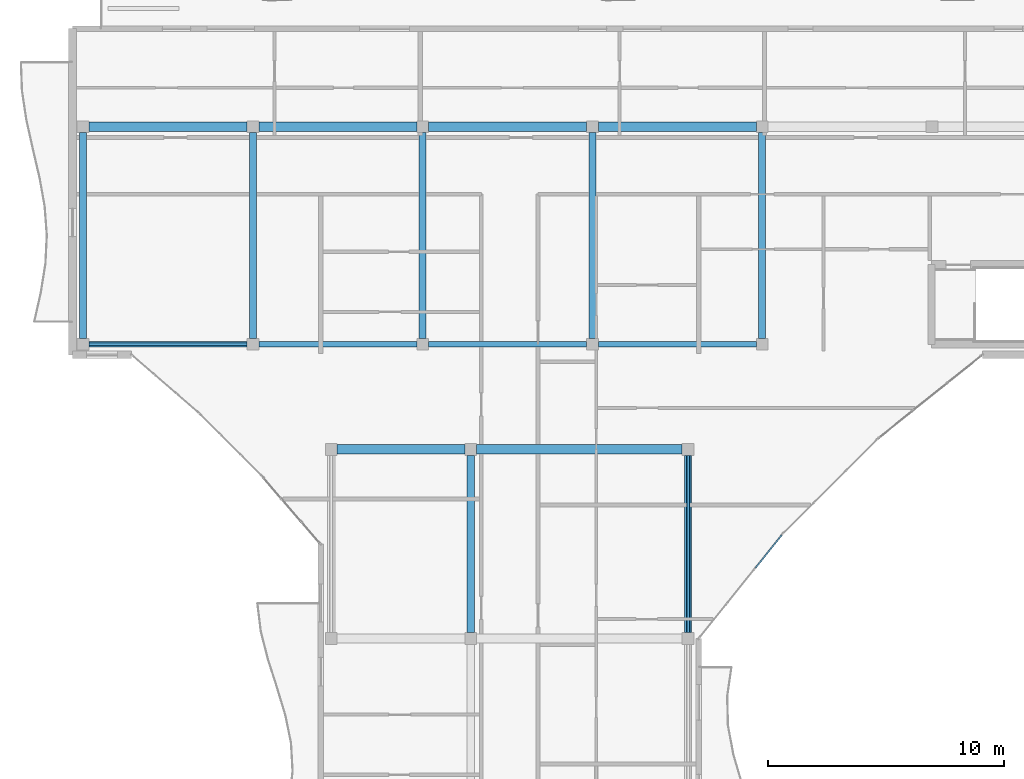
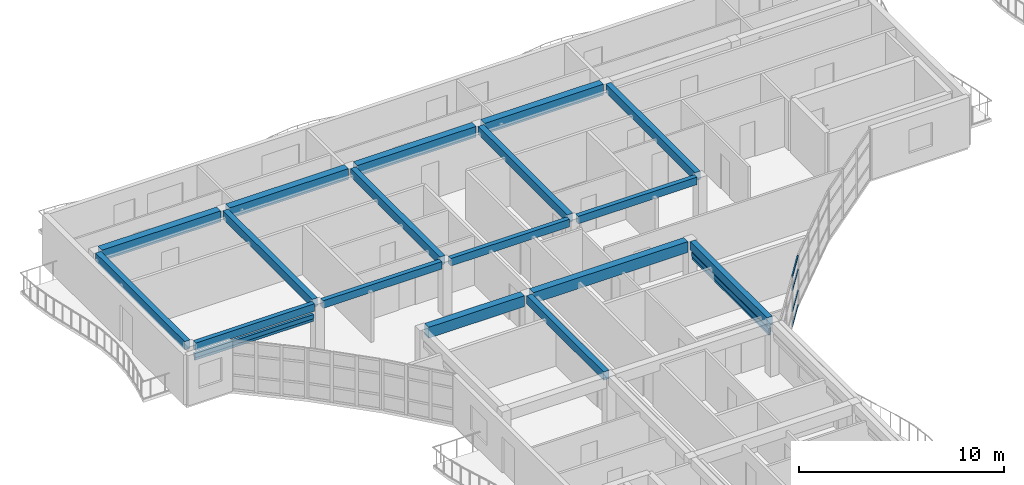
# One storey, part 4 of 30: 17 beams, 8 members, 1 element without a shape of its own.
"""IFC4 building model written with IfcOpenShell, lengths in metres."""

import ifcopenshell
import ifcopenshell.guid

model = None  # the IFC model being written
_history = None  # IfcOwnerHistory: only IFC2X3 demands one
_inside = {}  # id of a spatial element -> (the spatial element, [elements in it])
_under = {}  # id of a project, library or spatial element -> (it, [spatial elements below it])
_declared = {}  # id of a project -> (the project, [libraries it declares])
_typed = {}  # id of a type object -> (the type object, [elements of that type])
_made_of = {}  # id of a material, layer set ... -> (it, [elements and type objects made of it])


def new_model(schema):
    """Start an empty IFC model of exactly this schema.

    Asked for "IFC4X3", IfcOpenShell would pick the latest addendum, in which some entities
    have other attributes; the version numbers below select the first issue.
    IFC2X3 requires an IfcOwnerHistory on every rooted entity: one is made here for all.
    """
    global model, _history
    if schema == "IFC4X3":
        model = ifcopenshell.file(schema_version=(4, 3, 0, 0))
    else:
        model = ifcopenshell.file(schema=schema)
    _inside.clear()
    _under.clear()
    _declared.clear()
    _typed.clear()
    _made_of.clear()
    _history = None
    if model.schema == "IFC2X3":
        org = make("IfcOrganization", Name="unknown")
        user = make(
            "IfcPersonAndOrganization",
            ThePerson=make("IfcPerson", FamilyName="unknown"),
            TheOrganization=org,
        )
        app = make(
            "IfcApplication",
            ApplicationDeveloper=org,
            Version="unknown",
            ApplicationFullName="unknown",
            ApplicationIdentifier="unknown",
        )
        _history = make(
            "IfcOwnerHistory",
            OwningUser=user,
            OwningApplication=app,
            ChangeAction="ADDED",
            CreationDate=0,
        )
    return model


def make(cls, **values):
    """One entity of the class cls with the attributes given. An attribute that is None is left unset."""
    return model.create_entity(
        cls, **{name: value for name, value in values.items() if value is not None}
    )


def rooted(cls, **values):
    """An entity with a GlobalId (a new one), such as an element, a storey or a relation."""
    return make(cls, GlobalId=ifcopenshell.guid.new(), OwnerHistory=_history, **values)


def si_unit(unit_type, name, prefix=None):
    """IfcSIUnit, for example si_unit("LENGTHUNIT", "METRE", prefix="MILLI")."""
    return make("IfcSIUnit", UnitType=unit_type, Prefix=prefix, Name=name)


def assignment(units):
    """IfcUnitAssignment: the units of a project."""
    return None if units is None else make("IfcUnitAssignment", Units=units)


def point(xyz):
    """IfcCartesianPoint."""
    return None if xyz is None else make("IfcCartesianPoint", Coordinates=xyz)


def direction(xyz):
    """IfcDirection."""
    return None if xyz is None else make("IfcDirection", DirectionRatios=xyz)


def frame(location, z_axis=None, x_axis=None):
    """IfcAxis2Placement3D, a coordinate frame: its origin and axes. An axis left out is left unset."""
    return make(
        "IfcAxis2Placement3D",
        Location=point(location),
        Axis=direction(z_axis),
        RefDirection=direction(x_axis),
    )


def frame_2d(location, x_axis=None):
    """IfcAxis2Placement2D, a coordinate frame in the plane: its origin and x axis."""
    return make(
        "IfcAxis2Placement2D", Location=point(location), RefDirection=direction(x_axis)
    )


def origin():
    """The frame at (0, 0, 0) with its axes left unset."""
    return frame((0.0, 0.0, 0.0))


def origin_2d():
    """The frame at (0, 0) in the plane with its x axis left unset."""
    return frame_2d((0.0, 0.0))


def place(relative_to, where):
    """IfcLocalPlacement: puts the frame where relative to a parent placement (None: the world)."""
    return make(
        "IfcLocalPlacement", PlacementRelTo=relative_to, RelativePlacement=where
    )


def context(
    kind, dimensions, precision=None, world=None, true_north=None, identifier=None
):
    """IfcGeometricRepresentationContext, for example the 3D "Model" context."""
    return make(
        "IfcGeometricRepresentationContext",
        ContextIdentifier=identifier,
        ContextType=kind,
        CoordinateSpaceDimension=dimensions,
        Precision=precision,
        WorldCoordinateSystem=world,
        TrueNorth=true_north,
    )


def subcontext(parent, identifier, kind, view, scale=None):
    """IfcGeometricRepresentationSubContext, for example "Body" below "Model"."""
    return make(
        "IfcGeometricRepresentationSubContext",
        ContextIdentifier=identifier,
        ContextType=kind,
        ParentContext=parent,
        TargetScale=scale,
        TargetView=view,
    )


def project(units=None, contexts=None):
    """IfcProject with its units and contexts."""
    return rooted(
        "IfcProject",
        Name="project",
        RepresentationContexts=contexts,
        UnitsInContext=assignment(units),
    )


def spatial(cls, under=None, at=None, **own):
    """A site, building, storey or space (cls), placed at a placement, below another one or the project."""
    s = rooted(cls, ObjectPlacement=at, **own)
    if under is not None:
        _under.setdefault(under.id(), (under, []))[1].append(s)
    return s


def profile(cls, at=None, kind="AREA", **sizes):
    """A parametric profile (cls). Its sizes go by their IFC names, for example OverallWidth=200.0."""
    return make(cls, ProfileType=kind, Position=at, **sizes)


def rectangle(**sizes):
    """IfcRectangleProfileDef."""
    return profile("IfcRectangleProfileDef", **sizes)


def hollow_rectangle(**sizes):
    """IfcRectangleHollowProfileDef."""
    return profile("IfcRectangleHollowProfileDef", **sizes)


def extrude(swept, where, along, depth):
    """IfcExtrudedAreaSolid: the profile swept, set in the frame where, extruded along a direction by depth."""
    return make(
        "IfcExtrudedAreaSolid",
        SweptArea=swept,
        Position=where,
        ExtrudedDirection=direction(along),
        Depth=depth,
    )


def shape(context_of_items, identifier, shape_type, items):
    """IfcShapeRepresentation: the items that make up one representation, for example the "Body"."""
    return make(
        "IfcShapeRepresentation",
        ContextOfItems=context_of_items,
        RepresentationIdentifier=identifier,
        RepresentationType=shape_type,
        Items=items,
    )


def material(Name=None, Category=None):
    """IfcMaterial."""
    return make("IfcMaterial", Name=Name, Category=Category)


def layer(
    of_material, thickness, ventilated=None, Name=None, Category=None, Priority=None
):
    """IfcMaterialLayer: one layer of a wall or slab, of a material (None: an air gap)."""
    return make(
        "IfcMaterialLayer",
        Material=of_material,
        LayerThickness=thickness,
        IsVentilated=ventilated,
        Name=Name,
        Category=Category,
        Priority=Priority,
    )


def layer_set(layers, Name=None):
    """IfcMaterialLayerSet."""
    return make("IfcMaterialLayerSet", MaterialLayers=layers, LayerSetName=Name)


def material_profile(
    of_material, cross_section, Name=None, Category=None, Priority=None
):
    """IfcMaterialProfile: a cross section and its material."""
    return make(
        "IfcMaterialProfile",
        Name=Name,
        Material=of_material,
        Profile=cross_section,
        Priority=Priority,
        Category=Category,
    )


def profile_set(profiles, Name=None, composite=None):
    """IfcMaterialProfileSet."""
    return make(
        "IfcMaterialProfileSet",
        Name=Name,
        MaterialProfiles=profiles,
        CompositeProfile=composite,
    )


def made_of(thing, what):
    """Note that an element or type object is made of a material, layer set ...; save() writes the relation."""
    if what is not None:
        _made_of.setdefault(what.id(), (what, []))[1].append(thing)
    return thing


def type_object(cls, material=None, **own):
    """A type object (cls), such as IfcWallType, which elements share."""
    return made_of(rooted(cls, **own), material)


def element(
    cls,
    number,
    at=None,
    inside=None,
    cuts=None,
    type_object=None,
    material=None,
    context=None,
    identifier="Body",
    shape_type=None,
    held_by="IfcProductDefinitionShape",
    body=None,
    shapes=None,
    **own,
):
    """One element of the class cls, such as IfcWall. Its Tag is "e" and its number.

    at: its placement. inside: the storey or other place that contains it. cuts: it is an
    opening in that element (IfcRelVoidsElement). A single representation is given by context,
    identifier, shape_type and body (its items); several are given by shapes. held_by: the class
    of the entity that holds the representations. save() writes the other relations.
    """
    e = rooted(cls, Tag="e%d" % number, ObjectPlacement=at, **own)
    if body is not None:
        shapes = [shape(context, identifier, shape_type, body)]
    if shapes is not None:
        e.Representation = make(held_by, Representations=shapes)
    if inside is not None:
        _inside.setdefault(inside.id(), (inside, []))[1].append(e)
    if cuts is not None:
        rooted(
            "IfcRelVoidsElement", RelatingBuildingElement=cuts, RelatedOpeningElement=e
        )
    if type_object is not None:
        _typed.setdefault(type_object.id(), (type_object, []))[1].append(e)
    return made_of(e, material)


def aggregate(whole, parts):
    """IfcRelAggregates: a whole, such as a stair, and the parts it consists of."""
    return rooted("IfcRelAggregates", RelatingObject=whole, RelatedObjects=parts)


def save(model, path):
    """Write the relations noted so far, then the file.

    IfcRelAggregates (storeys below a building ...), IfcRelContainedInSpatialStructure (elements
    in a storey), IfcRelDefinesByType, IfcRelAssociatesMaterial and IfcRelDeclares: one each for
    every whole, place, type object, material and project.
    """
    for whole, parts in _under.values():
        aggregate(whole, parts)
    for where, things in _inside.values():
        rooted(
            "IfcRelContainedInSpatialStructure",
            RelatedElements=things,
            RelatingStructure=where,
        )
    for kind, things in _typed.values():
        rooted("IfcRelDefinesByType", RelatedObjects=things, RelatingType=kind)
    for what, things in _made_of.values():
        rooted("IfcRelAssociatesMaterial", RelatedObjects=things, RelatingMaterial=what)
    for by, libraries in _declared.values():
        rooted("IfcRelDeclares", RelatingContext=by, RelatedDefinitions=libraries)
    model.write(path)


model = new_model("IFC4")

# Units and contexts
model_context = context("Model", 3, precision=1e-05, world=origin(), true_north=direction((0.0, 1.0)))
body_context = subcontext(model_context, "Body", "Model", "MODEL_VIEW")
ifc_project = project(units=[si_unit("LENGTHUNIT", "METRE"), si_unit("AREAUNIT", "SQUARE_METRE"), si_unit("VOLUMEUNIT", "CUBIC_METRE"), si_unit("PLANEANGLEUNIT", "RADIAN"), si_unit("MASSUNIT", "GRAM", prefix="KILO")], contexts=[model_context])

# Site, building, storey
site_placement = place(None, origin())
site = spatial("IfcSite", under=ifc_project, at=site_placement, CompositionType="ELEMENT")
building_placement = place(site_placement, origin())
building = spatial("IfcBuilding", under=site, at=building_placement, Name="Keldmere Railside Commons", CompositionType="ELEMENT")
storey_placement = place(building_placement, frame((0.0, 0.0, 36.159912109375)))
storey = spatial("IfcBuildingStorey", under=building, at=storey_placement, Name="L11", CompositionType="ELEMENT", Elevation=36.159912109375)

# Members
ifc_material_1 = material(Name="Steel F-36 (S355)", Category="steel")
ifc_material_profile_1 = material_profile(ifc_material_1, hollow_rectangle(XDim=0.14990234375, YDim=0.25, WallThickness=0.010009765625, at=origin_2d()), Name="RHS-250x150x10")
ifc_profile_set_1 = profile_set([ifc_material_profile_1], Name="Steel F-36 (S355)")
member_type_1 = type_object("IfcMemberType", Name="Balcony Continuous Planted Trough RHS250x150", PredefinedType="CHORD", material=ifc_profile_set_1)
member_1_placement = place(storey_placement, frame((94.199951171875, 100.449951171875, 2.4150390625), z_axis=(1.0, 0.0, 0.0), x_axis=(0.0, 1.0, 0.0)))
element("IfcMember", 1, at=member_1_placement, inside=storey, type_object=member_type_1, Name="PLT-1 MEM-BPLT-1009", PredefinedType="CHORD", context=body_context, shape_type="SweptSolid", body=[
    extrude(hollow_rectangle(XDim=0.14990234375, YDim=0.25, WallThickness=0.010009765625, at=origin_2d()), origin(), (0.0, 0.0, 1.0), 6.68310546875),
])
member_2_placement = place(storey_placement, frame((119.550048828125, 88.25, 2.4150390625), z_axis=(0.0, 1.0, 0.0), x_axis=(-1.0, 0.0, 0.0)))
element("IfcMember", 2, at=member_2_placement, inside=storey, type_object=member_type_1, Name="PLT-1 MEM-BPLT-1017", PredefinedType="CHORD", context=body_context, shape_type="SweptSolid", body=[
    extrude(hollow_rectangle(XDim=0.14990234375, YDim=0.25, WallThickness=0.010009765625, at=origin_2d()), origin(), (0.0, 0.0, 1.0), 7.5),
])

# Beams
ifc_material_2 = material(Name="Architectural Precast Concrete H-35 (C35/45)", Category="concrete")
ifc_material_profile_2 = material_profile(ifc_material_2, rectangle(XDim=0.25, YDim=0.449951171875, at=origin_2d()), Name="RC-250x450")
ifc_profile_set_2 = profile_set([ifc_material_profile_2], Name="Architectural Precast Concrete H-35 (C35/45)")
beam_type_1 = type_object("IfcBeamType", Name="Perimeter Precast Spandrel Beam 250x450", PredefinedType="SPANDREL", material=ifc_profile_set_2)
beam_1_placement = place(storey_placement, frame((94.199951171875, 100.449951171875, 2.97509765625), z_axis=(1.0, 0.0, 0.0), x_axis=(0.0, 1.0, 0.0)))
element("IfcBeam", 3, at=beam_1_placement, inside=storey, type_object=beam_type_1, Name="SPB-1 BM-L11-2442", PredefinedType="SPANDREL", context=body_context, shape_type="SweptSolid", body=[
    extrude(rectangle(XDim=0.25, YDim=0.449951171875, at=origin_2d()), origin(), (0.0, 0.0, 1.0), 6.68310546875),
])
beam_2_placement = place(storey_placement, frame((101.383056640625, 100.449951171875, 2.97509765625), z_axis=(1.0, 0.0, 0.0), x_axis=(0.0, 1.0, 0.0)))
element("IfcBeam", 4, at=beam_2_placement, inside=storey, type_object=beam_type_1, Name="SPB-1 BM-L11-2443", PredefinedType="SPANDREL", context=body_context, shape_type="SweptSolid", body=[
    extrude(rectangle(XDim=0.25, YDim=0.449951171875, at=origin_2d()), origin(), (0.0, 0.0, 1.0), 6.683837890625),
])
for number, where, z_axis, x_axis, name in (
    (5, (108.56689453125, 100.449951171875, 2.97509765625), (1.0, 0.0, 0.0), (0.0, 1.0, 0.0), "SPB-1 BM-L11-2444"),
    (6, (115.75, 100.449951171875, 2.97509765625), (1.0, 0.0, 0.0), (0.0, 1.0, 0.0), "SPB-1 BM-L11-2445"),
):
    element("IfcBeam", number, at=place(storey_placement, frame(where, z_axis=z_axis, x_axis=x_axis)), inside=storey, type_object=beam_type_1, Name=name, PredefinedType="SPANDREL", context=body_context, shape_type="SweptSolid", body=[
        extrude(rectangle(XDim=0.25, YDim=0.449951171875, at=origin_2d()), origin(), (0.0, 0.0, 1.0), 6.68310546875),
    ])
ifc_material_3 = material(Name="Concrete H-30 (C30/37)", Category="concrete")
ifc_material_profile_3 = material_profile(ifc_material_3, rectangle(XDim=0.39990234375, YDim=0.64990234375, at=origin_2d()), Name="RC-400x650")
ifc_profile_set_3 = profile_set([ifc_material_profile_3], Name="Concrete H-30 (C30/37)")
beam_type_2 = type_object("IfcBeamType", Name="Residential Spine RC Girder 400x650", PredefinedType="BEAM", material=ifc_profile_set_3)
beam_3_placement = place(storey_placement, frame((104.699951171875, 96.0, 2.875), z_axis=(1.0, 0.0, 0.0), x_axis=(0.0, 1.0, 0.0)))
element("IfcBeam", 7, at=beam_3_placement, inside=storey, type_object=beam_type_2, Name="BG-3 BM-L11-2438", PredefinedType="BEAM", context=body_context, shape_type="SweptSolid", body=[
    extrude(rectangle(XDim=0.39990234375, YDim=0.64990234375, at=origin_2d()), origin(), (0.0, 0.0, 1.0), 5.400146484375),
])
beam_4_placement = place(storey_placement, frame((110.60009765625, 96.0, 2.875), z_axis=(1.0, 0.0, 0.0), x_axis=(0.0, 1.0, 0.0)))
element("IfcBeam", 8, at=beam_4_placement, inside=storey, type_object=beam_type_2, Name="BG-3 BM-L11-2439", PredefinedType="BEAM", context=body_context, shape_type="SweptSolid", body=[
    extrude(rectangle(XDim=0.39990234375, YDim=0.64990234375, at=origin_2d()), origin(), (0.0, 0.0, 1.0), 8.699951171875),
])
beam_5_placement = place(storey_placement, frame((94.199951171875, 109.64990234375, 2.875), z_axis=(1.0, 0.0, 0.0), x_axis=(0.0, 1.0, 0.0)))
element("IfcBeam", 9, at=beam_5_placement, inside=storey, type_object=beam_type_2, Name="BG-3 BM-L11-2448", PredefinedType="BEAM", context=body_context, shape_type="SweptSolid", body=[
    extrude(rectangle(XDim=0.39990234375, YDim=0.64990234375, at=origin_2d()), origin(), (0.0, 0.0, 1.0), 6.68310546875),
])
beam_6_placement = place(storey_placement, frame((101.383056640625, 109.64990234375, 2.875), z_axis=(1.0, 0.0, 0.0), x_axis=(0.0, 1.0, 0.0)))
element("IfcBeam", 10, at=beam_6_placement, inside=storey, type_object=beam_type_2, Name="BG-3 BM-L11-2449", PredefinedType="BEAM", context=body_context, shape_type="SweptSolid", body=[
    extrude(rectangle(XDim=0.39990234375, YDim=0.64990234375, at=origin_2d()), origin(), (0.0, 0.0, 1.0), 6.683837890625),
])
for number, where, z_axis, x_axis, name in (
    (11, (108.56689453125, 109.64990234375, 2.875), (1.0, 0.0, 0.0), (0.0, 1.0, 0.0), "BG-3 BM-L11-2450"),
    (12, (115.75, 109.64990234375, 2.875), (1.0, 0.0, 0.0), (0.0, 1.0, 0.0), "BG-3 BM-L11-2451"),
):
    element("IfcBeam", number, at=place(storey_placement, frame(where, z_axis=z_axis, x_axis=x_axis)), inside=storey, type_object=beam_type_2, Name=name, PredefinedType="BEAM", context=body_context, shape_type="SweptSolid", body=[
        extrude(rectangle(XDim=0.39990234375, YDim=0.64990234375, at=origin_2d()), origin(), (0.0, 0.0, 1.0), 6.68310546875),
    ])
ifc_material_profile_4 = material_profile(ifc_material_3, rectangle(XDim=0.300048828125, YDim=0.5, at=origin_2d()), Name="RC-300x500")
ifc_profile_set_4 = profile_set([ifc_material_profile_4], Name="Concrete H-30 (C30/37)")
beam_type_3 = type_object("IfcBeamType", Name="Secondary Frame RC Beam 300x500", PredefinedType="BEAM", material=ifc_profile_set_4)
for number, where, z_axis, x_axis, name in (
    (13, (93.949951171875, 100.699951171875, 2.9501953125), (0.0, 1.0, 0.0), (-1.0, 0.0, 0.0), "BG-5 BM-L11-2459"),
    (14, (101.133056640625, 100.699951171875, 2.9501953125), (0.0, 1.0, 0.0), (-1.0, 0.0, 0.0), "BG-5 BM-L11-2460"),
    (15, (108.31689453125, 100.699951171875, 2.9501953125), (0.0, 1.0, 0.0), (-1.0, 0.0, 0.0), "BG-5 BM-L11-2462"),
):
    element("IfcBeam", number, at=place(storey_placement, frame(where, z_axis=z_axis, x_axis=x_axis)), inside=storey, type_object=beam_type_3, Name=name, PredefinedType="BEAM", context=body_context, shape_type="SweptSolid", body=[
        extrude(rectangle(XDim=0.300048828125, YDim=0.5, at=origin_2d()), origin(), (0.0, 0.0, 1.0), 8.699951171875),
    ])
beam_7_placement = place(storey_placement, frame((110.35009765625, 88.25, 2.9501953125), z_axis=(0.0, 1.0, 0.0), x_axis=(-1.0, 0.0, 0.0)))
element("IfcBeam", 16, at=beam_7_placement, inside=storey, type_object=beam_type_3, Name="BG-5 BM-L11-2465", PredefinedType="BEAM", context=body_context, shape_type="SweptSolid", body=[
    extrude(rectangle(XDim=0.300048828125, YDim=0.5, at=origin_2d()), origin(), (0.0, 0.0, 1.0), 7.5),
])
beam_8_placement = place(storey_placement, frame((115.5, 100.699951171875, 2.9501953125), z_axis=(0.0, 1.0, 0.0), x_axis=(-1.0, 0.0, 0.0)))
element("IfcBeam", 17, at=beam_8_placement, inside=storey, type_object=beam_type_3, Name="BG-5 BM-L11-2466", PredefinedType="BEAM", context=body_context, shape_type="SweptSolid", body=[
    extrude(rectangle(XDim=0.300048828125, YDim=0.5, at=origin_2d()), origin(), (0.0, 0.0, 1.0), 8.699951171875),
])
beam_9_placement = place(storey_placement, frame((119.550048828125, 88.25, 2.9501953125), z_axis=(0.0, 1.0, 0.0), x_axis=(-1.0, 0.0, 0.0)))
element("IfcBeam", 18, at=beam_9_placement, inside=storey, type_object=beam_type_3, Name="BG-5 BM-L11-2469", PredefinedType="BEAM", context=body_context, shape_type="SweptSolid", body=[
    extrude(rectangle(XDim=0.300048828125, YDim=0.5, at=origin_2d()), origin(), (0.0, 0.0, 1.0), 7.5),
])
beam_10_placement = place(storey_placement, frame((122.68310546875, 100.699951171875, 2.9501953125), z_axis=(0.0, 1.0, 0.0), x_axis=(-1.0, 0.0, 0.0)))
element("IfcBeam", 19, at=beam_10_placement, inside=storey, type_object=beam_type_3, Name="BG-5 BM-L11-2470", PredefinedType="BEAM", context=body_context, shape_type="SweptSolid", body=[
    extrude(rectangle(XDim=0.300048828125, YDim=0.5, at=origin_2d()), origin(), (0.0, 0.0, 1.0), 8.699951171875),
])

# Members
ifc_material_profile_5 = material_profile(ifc_material_1, hollow_rectangle(XDim=0.10009765625, YDim=0.159912109375, WallThickness=0.008056640625, at=origin_2d()), Name="RHS-160x100x8")
ifc_profile_set_5 = profile_set([ifc_material_profile_5], Name="Steel F-36 (S355)")
member_type_2 = type_object("IfcMemberType", Name="Solar Brise-Soleil Louvre Fin RHS160x100", PredefinedType="STRUT", material=ifc_profile_set_5)
member_3_placement = place(storey_placement, frame((94.199951171875, 100.449951171875, 2.2001953125), z_axis=(1.0, 0.0, 0.0), x_axis=(0.0, 1.0, 0.0)))
element("IfcMember", 20, at=member_3_placement, inside=storey, type_object=member_type_2, Name="BSF-1 MEM-BSF-1010", PredefinedType="STRUT", context=body_context, shape_type="SweptSolid", body=[
    extrude(hollow_rectangle(XDim=0.10009765625, YDim=0.159912109375, WallThickness=0.008056640625, at=origin_2d()), origin(), (0.0, 0.0, 1.0), 6.68310546875),
])
member_4_placement = place(storey_placement, frame((119.550048828125, 88.25, 2.2001953125), z_axis=(0.0, 1.0, 0.0), x_axis=(-1.0, 0.0, 0.0)))
element("IfcMember", 21, at=member_4_placement, inside=storey, type_object=member_type_2, Name="BSF-1 MEM-BSF-1018", PredefinedType="STRUT", context=body_context, shape_type="SweptSolid", body=[
    extrude(hollow_rectangle(XDim=0.10009765625, YDim=0.159912109375, WallThickness=0.008056640625, at=origin_2d()), origin(), (0.0, 0.0, 1.0), 7.5),
])

# Curtain wall, members
ifc_material_4 = material(Name="Thermally Broken Aluminium", Category="aluminium")
ifc_layer = layer(ifc_material_4, 0.159912109375, Name="Court Chord Wintergarden CW 4800x2850")
ifc_layer_set = layer_set([ifc_layer], Name="Thermally Broken Aluminium")
curtain_wall_type = type_object("IfcCurtainWallType", Name="Court Chord Wintergarden CW 4800x2850", PredefinedType="NOTDEFINED", material=ifc_layer_set)
curtain_wall_placement = place(storey_placement, origin())
curtain_wall = element("IfcCurtainWall", 22, at=curtain_wall_placement, inside=storey, type_object=curtain_wall_type, Name="CW-12 CW-L11-151", PredefinedType="NOTDEFINED")
ifc_material_profile_6 = material_profile(ifc_material_4, hollow_rectangle(XDim=0.06494140625, YDim=0.1201171875, WallThickness=0.00390625, at=origin_2d()), Name="ALU-TRAN-65x120")
ifc_profile_set_6 = profile_set([ifc_material_profile_6], Name="Thermally Broken Aluminium")
member_type_3 = type_object("IfcMemberType", Name="Unitised Curtain Wall Transom 65x120", PredefinedType="USERDEFINED", material=ifc_profile_set_6)
member_5_placement = place(storey_placement, frame((123.513427734375, 92.37939453125, 0.032470703125), z_axis=(-0.625805275091, -0.779979331565, 0.0), x_axis=(0.779979331565, -0.625805275091, 0.0)))
member_5 = element("IfcMember", 23, at=member_5_placement, type_object=member_type_3, Name="CW-12 transom 1.1", ObjectType="TRANSOM", PredefinedType="USERDEFINED", context=body_context, shape_type="SweptSolid", body=[
    extrude(hollow_rectangle(XDim=0.06494140625, YDim=0.1201171875, WallThickness=0.00390625, at=origin_2d()), origin(), (0.0, 0.0, 1.0), 1.795654296875),
])
member_6_placement = place(storey_placement, frame((123.513427734375, 92.37939453125, 0.900146484375), z_axis=(-0.625805275091, -0.779979331565, 0.0), x_axis=(0.779979331565, -0.625805275091, 0.0)))
member_6 = element("IfcMember", 24, at=member_6_placement, type_object=member_type_3, Name="CW-12 transom 1.2", ObjectType="TRANSOM", PredefinedType="USERDEFINED", context=body_context, shape_type="SweptSolid", body=[
    extrude(hollow_rectangle(XDim=0.06494140625, YDim=0.1201171875, WallThickness=0.00390625, at=origin_2d()), origin(), (0.0, 0.0, 1.0), 1.795654296875),
])
member_7_placement = place(storey_placement, frame((123.513427734375, 92.37939453125, 2.150146484375), z_axis=(-0.625805275091, -0.779979331565, 0.0), x_axis=(0.779979331565, -0.625805275091, 0.0)))
member_7 = element("IfcMember", 25, at=member_7_placement, type_object=member_type_3, Name="CW-12 transom 1.3", ObjectType="TRANSOM", PredefinedType="USERDEFINED", context=body_context, shape_type="SweptSolid", body=[
    extrude(hollow_rectangle(XDim=0.06494140625, YDim=0.1201171875, WallThickness=0.00390625, at=origin_2d()), origin(), (0.0, 0.0, 1.0), 1.795654296875),
])
member_8_placement = place(storey_placement, frame((123.513427734375, 92.37939453125, 2.947509765625), z_axis=(-0.625805275091, -0.779979331565, 0.0), x_axis=(0.779979331565, -0.625805275091, 0.0)))
member_8 = element("IfcMember", 26, at=member_8_placement, type_object=member_type_3, Name="CW-12 transom 1.4", ObjectType="TRANSOM", PredefinedType="USERDEFINED", context=body_context, shape_type="SweptSolid", body=[
    extrude(hollow_rectangle(XDim=0.06494140625, YDim=0.1201171875, WallThickness=0.00390625, at=origin_2d()), origin(), (0.0, 0.0, 1.0), 1.795654296875),
])
aggregate(curtain_wall, [member_5, member_6, member_7, member_8])

save(model, "model.ifc")
